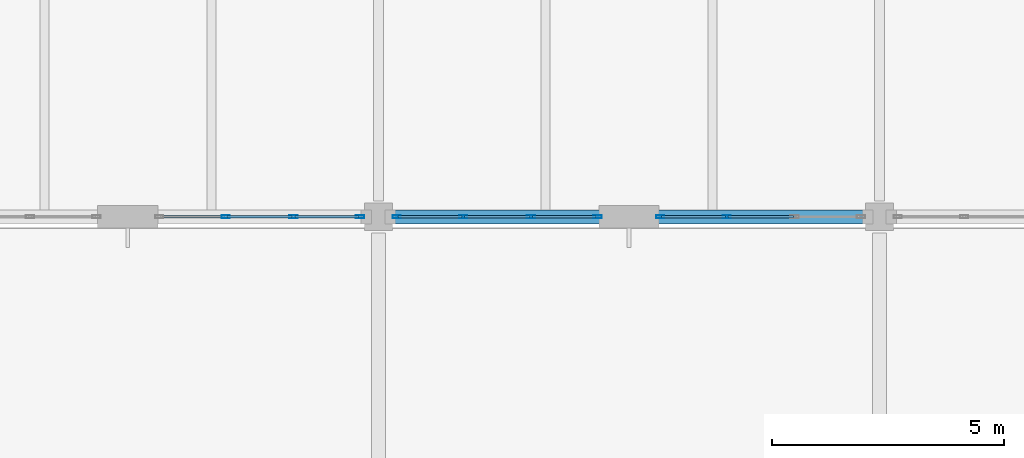
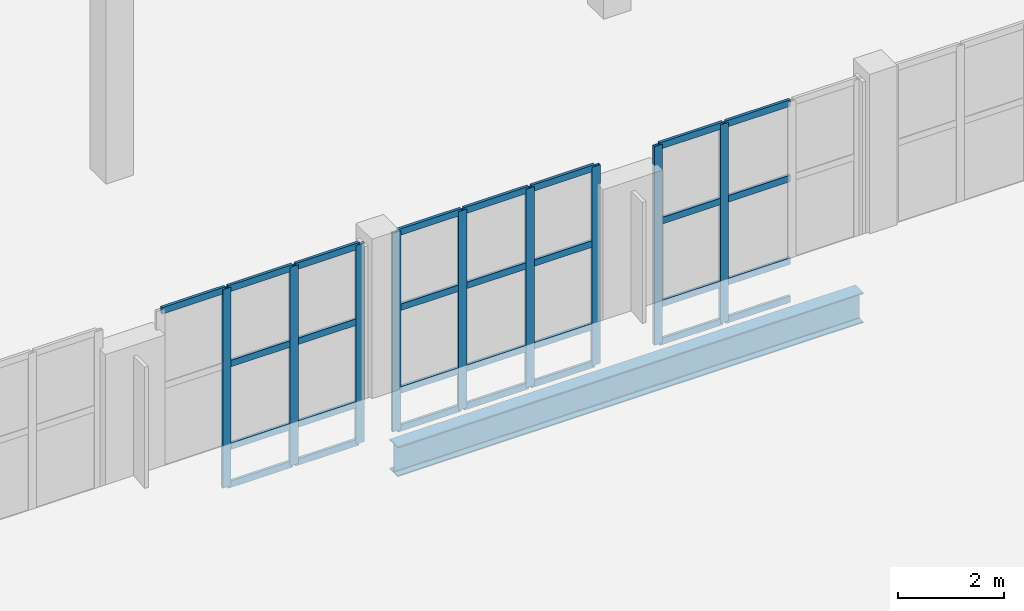
# One storey, part 26 of 100: 38 members, 1 beam, 3 elements without a shape of their own.
"""IFC4 building model written with IfcOpenShell, lengths in metres."""

from ifc_helpers import new_model, si_unit, direction, frame, origin, origin_2d, place, context, subcontext, project, spatial, hollow_rectangle, i_section, extrude, material, layer, layer_set, material_profile, profile_set, type_object, element, aggregate, save


model = new_model("IFC4")

# Units and contexts
model_context = context("Model", 3, precision=1e-05, world=origin(), true_north=direction((0.0, 1.0)))
body_context = subcontext(model_context, "Body", "Model", "MODEL_VIEW")
ifc_project = project(units=[si_unit("LENGTHUNIT", "METRE"), si_unit("AREAUNIT", "SQUARE_METRE"), si_unit("VOLUMEUNIT", "CUBIC_METRE"), si_unit("PLANEANGLEUNIT", "RADIAN"), si_unit("MASSUNIT", "GRAM", prefix="KILO")], contexts=[model_context])

# Site, building, storey
site_placement = place(None, origin())
site = spatial("IfcSite", under=ifc_project, at=site_placement, CompositionType="ELEMENT")
building_placement = place(site_placement, origin())
building = spatial("IfcBuilding", under=site, at=building_placement, Name="Tasgan Crest Museum", CompositionType="ELEMENT")
storey_placement = place(building_placement, frame((0.0, 0.0, 9.60009765625)))
storey = spatial("IfcBuildingStorey", under=building, at=storey_placement, Name="L02", CompositionType="ELEMENT", Elevation=9.60009765625)

# Beam
ifc_material_1 = material(Name="Steel S355K2", Category="steel")
ifc_material_profile_1 = material_profile(ifc_material_1, i_section(OverallWidth=0.300048828125, OverallDepth=0.68994140625, WebThickness=0.014404296875, FlangeThickness=0.027099609375, FilletRadius=0.027099609375, at=origin_2d()), Name="HEA 700")
ifc_profile_set_1 = profile_set([ifc_material_profile_1], Name="Steel S355K2")
beam_type = type_object("IfcBeamType", Name="BM-G-HEA700", PredefinedType="BEAM", material=ifc_profile_set_1)
beam_placement = place(storey_placement, frame((119.14599609375, 20.0, -0.625), z_axis=(1.0, 0.0, 0.0), x_axis=(0.0, 1.0, 0.0)))
element("IfcBeam", 1, at=beam_placement, inside=storey, type_object=beam_type, Name="Girder L02 C 118.8-129.6", PredefinedType="BEAM", context=body_context, shape_type="SweptSolid", body=[
    extrude(i_section(OverallWidth=0.300048828125, OverallDepth=0.68994140625, WebThickness=0.014404296875, FlangeThickness=0.027099609375, FilletRadius=0.027099609375, at=origin_2d()), origin(), (0.0, 0.0, 1.0), 10.10791015625),
])

# Curtain wall, members
ifc_material_2 = material(Name="Triple-Glazed Aluminium Curtain Wall", Category="aluminium")
ifc_layer = layer(ifc_material_2, 0.179931640625, Name="CW-GAL-X-48")
ifc_layer_set = layer_set([ifc_layer], Name="Triple-Glazed Aluminium Curtain Wall")
curtain_wall_type = type_object("IfcCurtainWallType", Name="CW-GAL-X-48", PredefinedType="NOTDEFINED", material=ifc_layer_set)
curtain_wall_1_placement = place(storey_placement, origin())
curtain_wall_1 = element("IfcCurtainWall", 2, at=curtain_wall_1_placement, inside=storey, type_object=curtain_wall_type, Name="Curtain wall L02 066", PredefinedType="NOTDEFINED")
ifc_material_3 = material(Name="Anodised Aluminium", Category="aluminium")
ifc_material_profile_2 = material_profile(ifc_material_3, hollow_rectangle(XDim=0.06494140625, YDim=0.179931640625, WallThickness=0.0048828125, at=origin_2d()), Name="ALU MULLION 180x65x5")
ifc_profile_set_2 = profile_set([ifc_material_profile_2], Name="Anodised Aluminium")
member_type_1 = type_object("IfcMemberType", Name="CW-MULLION-180", PredefinedType="MULLION", material=ifc_profile_set_2)
member_1_placement = place(storey_placement, frame((115.50830078125, 20.0, 0.0), z_axis=(0.0, 0.0, 1.0), x_axis=(0.0, 1.0, 0.0)))
member_1 = element("IfcMember", 3, at=member_1_placement, type_object=member_type_1, Name="CW13 mullion 2", PredefinedType="MULLION", context=body_context, shape_type="SweptSolid", body=[
    extrude(hollow_rectangle(XDim=0.06494140625, YDim=0.179931640625, WallThickness=0.0048828125, at=origin_2d()), origin(), (0.0, 0.0, 1.0), 4.559814453125),
])
member_2_placement = place(storey_placement, frame((116.9716796875, 20.0, 0.0), z_axis=(0.0, 0.0, 1.0), x_axis=(0.0, 1.0, 0.0)))
member_2 = element("IfcMember", 4, at=member_2_placement, type_object=member_type_1, Name="CW13 mullion 3", PredefinedType="MULLION", context=body_context, shape_type="SweptSolid", body=[
    extrude(hollow_rectangle(XDim=0.06494140625, YDim=0.179931640625, WallThickness=0.0048828125, at=origin_2d()), origin(), (0.0, 0.0, 1.0), 4.559814453125),
])
member_3_placement = place(storey_placement, frame((118.405029296875, 20.0, 0.0), z_axis=(0.0, 0.0, 1.0), x_axis=(0.0, 1.0, 0.0)))
member_3 = element("IfcMember", 5, at=member_3_placement, type_object=member_type_1, Name="CW13 mullion 4", PredefinedType="MULLION", context=body_context, shape_type="SweptSolid", body=[
    extrude(hollow_rectangle(XDim=0.06494140625, YDim=0.179931640625, WallThickness=0.0048828125, at=origin_2d()), origin(), (0.0, 0.0, 1.0), 4.559814453125),
])

curtain_wall_2_placement = place(storey_placement, origin())
curtain_wall_2 = element("IfcCurtainWall", 6, at=curtain_wall_2_placement, inside=storey, type_object=curtain_wall_type, Name="Curtain wall L02 067", PredefinedType="NOTDEFINED")
member_4_placement = place(storey_placement, frame((119.195068359375, 20.0, 0.0), z_axis=(0.0, 0.0, 1.0), x_axis=(0.0, 1.0, 0.0)))
member_4 = element("IfcMember", 7, at=member_4_placement, type_object=member_type_1, Name="CW13 mullion 1", PredefinedType="MULLION", context=body_context, shape_type="SweptSolid", body=[
    extrude(hollow_rectangle(XDim=0.06494140625, YDim=0.179931640625, WallThickness=0.0048828125, at=origin_2d()), origin(), (0.0, 0.0, 1.0), 4.559814453125),
])
member_5_placement = place(storey_placement, frame((120.62841796875, 20.0, 0.0), z_axis=(0.0, 0.0, 1.0), x_axis=(0.0, 1.0, 0.0)))
member_5 = element("IfcMember", 8, at=member_5_placement, type_object=member_type_1, Name="CW13 mullion 2", PredefinedType="MULLION", context=body_context, shape_type="SweptSolid", body=[
    extrude(hollow_rectangle(XDim=0.06494140625, YDim=0.179931640625, WallThickness=0.0048828125, at=origin_2d()), origin(), (0.0, 0.0, 1.0), 4.559814453125),
])
member_6_placement = place(storey_placement, frame((122.091552734375, 20.0, 0.0), z_axis=(0.0, 0.0, 1.0), x_axis=(0.0, 1.0, 0.0)))
member_6 = element("IfcMember", 9, at=member_6_placement, type_object=member_type_1, Name="CW13 mullion 3", PredefinedType="MULLION", context=body_context, shape_type="SweptSolid", body=[
    extrude(hollow_rectangle(XDim=0.06494140625, YDim=0.179931640625, WallThickness=0.0048828125, at=origin_2d()), origin(), (0.0, 0.0, 1.0), 4.559814453125),
])
member_7_placement = place(storey_placement, frame((123.52490234375, 20.0, 0.0), z_axis=(0.0, 0.0, 1.0), x_axis=(0.0, 1.0, 0.0)))
member_7 = element("IfcMember", 10, at=member_7_placement, type_object=member_type_1, Name="CW13 mullion 4", PredefinedType="MULLION", context=body_context, shape_type="SweptSolid", body=[
    extrude(hollow_rectangle(XDim=0.06494140625, YDim=0.179931640625, WallThickness=0.0048828125, at=origin_2d()), origin(), (0.0, 0.0, 1.0), 4.559814453125),
])

curtain_wall_3_placement = place(storey_placement, origin())
curtain_wall_3 = element("IfcCurtainWall", 11, at=curtain_wall_3_placement, inside=storey, type_object=curtain_wall_type, Name="Curtain wall L02 068", PredefinedType="NOTDEFINED")
member_8_placement = place(storey_placement, frame((124.875, 20.0, 0.0), z_axis=(0.0, 0.0, 1.0), x_axis=(0.0, 1.0, 0.0)))
member_8 = element("IfcMember", 12, at=member_8_placement, type_object=member_type_1, Name="CW13 mullion 1", PredefinedType="MULLION", context=body_context, shape_type="SweptSolid", body=[
    extrude(hollow_rectangle(XDim=0.06494140625, YDim=0.179931640625, WallThickness=0.0048828125, at=origin_2d()), origin(), (0.0, 0.0, 1.0), 4.559814453125),
])
member_9_placement = place(storey_placement, frame((126.308349609375, 20.0, 0.0), z_axis=(0.0, 0.0, 1.0), x_axis=(0.0, 1.0, 0.0)))
member_9 = element("IfcMember", 13, at=member_9_placement, type_object=member_type_1, Name="CW13 mullion 2", PredefinedType="MULLION", context=body_context, shape_type="SweptSolid", body=[
    extrude(hollow_rectangle(XDim=0.06494140625, YDim=0.179931640625, WallThickness=0.0048828125, at=origin_2d()), origin(), (0.0, 0.0, 1.0), 4.559814453125),
])

# Member
ifc_material_4 = material(Name="Anodised Aluminium", Category="aluminium")
ifc_material_profile_3 = material_profile(ifc_material_4, hollow_rectangle(XDim=0.06005859375, YDim=0.14990234375, WallThickness=0.0048828125, at=origin_2d()), Name="ALU TRANSOM 150x60x5")
ifc_profile_set_3 = profile_set([ifc_material_profile_3], Name="Anodised Aluminium")
member_type_2 = type_object("IfcMemberType", Name="CW-TRANSOM-150", PredefinedType="USERDEFINED", material=ifc_profile_set_3)
member_10_placement = place(storey_placement, frame((114.10498046875, 20.0, 4.52978515625), z_axis=(1.0, 0.0, 0.0), x_axis=(0.0, 1.0, 0.0)))
member_10 = element("IfcMember", 14, at=member_10_placement, type_object=member_type_2, Name="CW13 transom 1.4", ObjectType="TRANSOM", PredefinedType="USERDEFINED", context=body_context, shape_type="SweptSolid", body=[
    extrude(hollow_rectangle(XDim=0.06005859375, YDim=0.14990234375, WallThickness=0.0048828125, at=origin_2d()), origin(), (0.0, 0.0, 1.0), 1.373291015625),
])

member_11_placement = place(storey_placement, frame((115.538330078125, 20.0, 0.02978515625), z_axis=(1.0, 0.0, 0.0), x_axis=(0.0, 1.0, 0.0)))
member_11 = element("IfcMember", 15, at=member_11_placement, type_object=member_type_2, Name="CW13 transom 2.1", ObjectType="TRANSOM", PredefinedType="USERDEFINED", context=body_context, shape_type="SweptSolid", body=[
    extrude(hollow_rectangle(XDim=0.06005859375, YDim=0.14990234375, WallThickness=0.0048828125, at=origin_2d()), origin(), (0.0, 0.0, 1.0), 1.4033203125),
])

member_12_placement = place(storey_placement, frame((115.538330078125, 20.0, 0.89990234375), z_axis=(1.0, 0.0, 0.0), x_axis=(0.0, 1.0, 0.0)))
member_12 = element("IfcMember", 16, at=member_12_placement, type_object=member_type_2, Name="CW13 transom 2.2", ObjectType="TRANSOM", PredefinedType="USERDEFINED", context=body_context, shape_type="SweptSolid", body=[
    extrude(hollow_rectangle(XDim=0.06005859375, YDim=0.14990234375, WallThickness=0.0048828125, at=origin_2d()), origin(), (0.0, 0.0, 1.0), 1.4033203125),
])

member_13_placement = place(storey_placement, frame((115.538330078125, 20.0, 2.7998046875), z_axis=(1.0, 0.0, 0.0), x_axis=(0.0, 1.0, 0.0)))
member_13 = element("IfcMember", 17, at=member_13_placement, type_object=member_type_2, Name="CW13 transom 2.3", ObjectType="TRANSOM", PredefinedType="USERDEFINED", context=body_context, shape_type="SweptSolid", body=[
    extrude(hollow_rectangle(XDim=0.06005859375, YDim=0.14990234375, WallThickness=0.0048828125, at=origin_2d()), origin(), (0.0, 0.0, 1.0), 1.4033203125),
])

member_14_placement = place(storey_placement, frame((115.538330078125, 20.0, 4.52978515625), z_axis=(1.0, 0.0, 0.0), x_axis=(0.0, 1.0, 0.0)))
member_14 = element("IfcMember", 18, at=member_14_placement, type_object=member_type_2, Name="CW13 transom 2.4", ObjectType="TRANSOM", PredefinedType="USERDEFINED", context=body_context, shape_type="SweptSolid", body=[
    extrude(hollow_rectangle(XDim=0.06005859375, YDim=0.14990234375, WallThickness=0.0048828125, at=origin_2d()), origin(), (0.0, 0.0, 1.0), 1.4033203125),
])

member_15_placement = place(storey_placement, frame((117.001708984375, 20.0, 0.02978515625), z_axis=(1.0, 0.0, 0.0), x_axis=(0.0, 1.0, 0.0)))
member_15 = element("IfcMember", 19, at=member_15_placement, type_object=member_type_2, Name="CW13 transom 3.1", ObjectType="TRANSOM", PredefinedType="USERDEFINED", context=body_context, shape_type="SweptSolid", body=[
    extrude(hollow_rectangle(XDim=0.06005859375, YDim=0.14990234375, WallThickness=0.0048828125, at=origin_2d()), origin(), (0.0, 0.0, 1.0), 1.373291015625),
])

member_16_placement = place(storey_placement, frame((117.001708984375, 20.0, 0.89990234375), z_axis=(1.0, 0.0, 0.0), x_axis=(0.0, 1.0, 0.0)))
member_16 = element("IfcMember", 20, at=member_16_placement, type_object=member_type_2, Name="CW13 transom 3.2", ObjectType="TRANSOM", PredefinedType="USERDEFINED", context=body_context, shape_type="SweptSolid", body=[
    extrude(hollow_rectangle(XDim=0.06005859375, YDim=0.14990234375, WallThickness=0.0048828125, at=origin_2d()), origin(), (0.0, 0.0, 1.0), 1.373291015625),
])

member_17_placement = place(storey_placement, frame((117.001708984375, 20.0, 2.7998046875), z_axis=(1.0, 0.0, 0.0), x_axis=(0.0, 1.0, 0.0)))
member_17 = element("IfcMember", 21, at=member_17_placement, type_object=member_type_2, Name="CW13 transom 3.3", ObjectType="TRANSOM", PredefinedType="USERDEFINED", context=body_context, shape_type="SweptSolid", body=[
    extrude(hollow_rectangle(XDim=0.06005859375, YDim=0.14990234375, WallThickness=0.0048828125, at=origin_2d()), origin(), (0.0, 0.0, 1.0), 1.373291015625),
])

member_18_placement = place(storey_placement, frame((117.001708984375, 20.0, 4.52978515625), z_axis=(1.0, 0.0, 0.0), x_axis=(0.0, 1.0, 0.0)))
member_18 = element("IfcMember", 22, at=member_18_placement, type_object=member_type_2, Name="CW13 transom 3.4", ObjectType="TRANSOM", PredefinedType="USERDEFINED", context=body_context, shape_type="SweptSolid", body=[
    extrude(hollow_rectangle(XDim=0.06005859375, YDim=0.14990234375, WallThickness=0.0048828125, at=origin_2d()), origin(), (0.0, 0.0, 1.0), 1.373291015625),
])

aggregate(curtain_wall_1, [member_1, member_2, member_3, member_10, member_11, member_12, member_13, member_14, member_15, member_16, member_17, member_18])

member_19_placement = place(storey_placement, frame((119.22509765625, 20.0, 0.02978515625), z_axis=(1.0, 0.0, 0.0), x_axis=(0.0, 1.0, 0.0)))
member_19 = element("IfcMember", 23, at=member_19_placement, type_object=member_type_2, Name="CW13 transom 1.1", ObjectType="TRANSOM", PredefinedType="USERDEFINED", context=body_context, shape_type="SweptSolid", body=[
    extrude(hollow_rectangle(XDim=0.06005859375, YDim=0.14990234375, WallThickness=0.0048828125, at=origin_2d()), origin(), (0.0, 0.0, 1.0), 1.373291015625),
])

member_20_placement = place(storey_placement, frame((119.22509765625, 20.0, 0.89990234375), z_axis=(1.0, 0.0, 0.0), x_axis=(0.0, 1.0, 0.0)))
member_20 = element("IfcMember", 24, at=member_20_placement, type_object=member_type_2, Name="CW13 transom 1.2", ObjectType="TRANSOM", PredefinedType="USERDEFINED", context=body_context, shape_type="SweptSolid", body=[
    extrude(hollow_rectangle(XDim=0.06005859375, YDim=0.14990234375, WallThickness=0.0048828125, at=origin_2d()), origin(), (0.0, 0.0, 1.0), 1.373291015625),
])

member_21_placement = place(storey_placement, frame((119.22509765625, 20.0, 2.7998046875), z_axis=(1.0, 0.0, 0.0), x_axis=(0.0, 1.0, 0.0)))
member_21 = element("IfcMember", 25, at=member_21_placement, type_object=member_type_2, Name="CW13 transom 1.3", ObjectType="TRANSOM", PredefinedType="USERDEFINED", context=body_context, shape_type="SweptSolid", body=[
    extrude(hollow_rectangle(XDim=0.06005859375, YDim=0.14990234375, WallThickness=0.0048828125, at=origin_2d()), origin(), (0.0, 0.0, 1.0), 1.373291015625),
])

member_22_placement = place(storey_placement, frame((119.22509765625, 20.0, 4.52978515625), z_axis=(1.0, 0.0, 0.0), x_axis=(0.0, 1.0, 0.0)))
member_22 = element("IfcMember", 26, at=member_22_placement, type_object=member_type_2, Name="CW13 transom 1.4", ObjectType="TRANSOM", PredefinedType="USERDEFINED", context=body_context, shape_type="SweptSolid", body=[
    extrude(hollow_rectangle(XDim=0.06005859375, YDim=0.14990234375, WallThickness=0.0048828125, at=origin_2d()), origin(), (0.0, 0.0, 1.0), 1.373291015625),
])

member_23_placement = place(storey_placement, frame((120.658447265625, 20.0, 0.02978515625), z_axis=(1.0, 0.0, 0.0), x_axis=(0.0, 1.0, 0.0)))
member_23 = element("IfcMember", 27, at=member_23_placement, type_object=member_type_2, Name="CW13 transom 2.1", ObjectType="TRANSOM", PredefinedType="USERDEFINED", context=body_context, shape_type="SweptSolid", body=[
    extrude(hollow_rectangle(XDim=0.06005859375, YDim=0.14990234375, WallThickness=0.0048828125, at=origin_2d()), origin(), (0.0, 0.0, 1.0), 1.4033203125),
])

member_24_placement = place(storey_placement, frame((120.658447265625, 20.0, 0.89990234375), z_axis=(1.0, 0.0, 0.0), x_axis=(0.0, 1.0, 0.0)))
member_24 = element("IfcMember", 28, at=member_24_placement, type_object=member_type_2, Name="CW13 transom 2.2", ObjectType="TRANSOM", PredefinedType="USERDEFINED", context=body_context, shape_type="SweptSolid", body=[
    extrude(hollow_rectangle(XDim=0.06005859375, YDim=0.14990234375, WallThickness=0.0048828125, at=origin_2d()), origin(), (0.0, 0.0, 1.0), 1.4033203125),
])

member_25_placement = place(storey_placement, frame((120.658447265625, 20.0, 2.7998046875), z_axis=(1.0, 0.0, 0.0), x_axis=(0.0, 1.0, 0.0)))
member_25 = element("IfcMember", 29, at=member_25_placement, type_object=member_type_2, Name="CW13 transom 2.3", ObjectType="TRANSOM", PredefinedType="USERDEFINED", context=body_context, shape_type="SweptSolid", body=[
    extrude(hollow_rectangle(XDim=0.06005859375, YDim=0.14990234375, WallThickness=0.0048828125, at=origin_2d()), origin(), (0.0, 0.0, 1.0), 1.4033203125),
])

member_26_placement = place(storey_placement, frame((120.658447265625, 20.0, 4.52978515625), z_axis=(1.0, 0.0, 0.0), x_axis=(0.0, 1.0, 0.0)))
member_26 = element("IfcMember", 30, at=member_26_placement, type_object=member_type_2, Name="CW13 transom 2.4", ObjectType="TRANSOM", PredefinedType="USERDEFINED", context=body_context, shape_type="SweptSolid", body=[
    extrude(hollow_rectangle(XDim=0.06005859375, YDim=0.14990234375, WallThickness=0.0048828125, at=origin_2d()), origin(), (0.0, 0.0, 1.0), 1.4033203125),
])

member_27_placement = place(storey_placement, frame((122.12158203125, 20.0, 0.02978515625), z_axis=(1.0, 0.0, 0.0), x_axis=(0.0, 1.0, 0.0)))
member_27 = element("IfcMember", 31, at=member_27_placement, type_object=member_type_2, Name="CW13 transom 3.1", ObjectType="TRANSOM", PredefinedType="USERDEFINED", context=body_context, shape_type="SweptSolid", body=[
    extrude(hollow_rectangle(XDim=0.06005859375, YDim=0.14990234375, WallThickness=0.0048828125, at=origin_2d()), origin(), (0.0, 0.0, 1.0), 1.37353515625),
])

member_28_placement = place(storey_placement, frame((122.12158203125, 20.0, 0.89990234375), z_axis=(1.0, 0.0, 0.0), x_axis=(0.0, 1.0, 0.0)))
member_28 = element("IfcMember", 32, at=member_28_placement, type_object=member_type_2, Name="CW13 transom 3.2", ObjectType="TRANSOM", PredefinedType="USERDEFINED", context=body_context, shape_type="SweptSolid", body=[
    extrude(hollow_rectangle(XDim=0.06005859375, YDim=0.14990234375, WallThickness=0.0048828125, at=origin_2d()), origin(), (0.0, 0.0, 1.0), 1.37353515625),
])

member_29_placement = place(storey_placement, frame((122.12158203125, 20.0, 2.7998046875), z_axis=(1.0, 0.0, 0.0), x_axis=(0.0, 1.0, 0.0)))
member_29 = element("IfcMember", 33, at=member_29_placement, type_object=member_type_2, Name="CW13 transom 3.3", ObjectType="TRANSOM", PredefinedType="USERDEFINED", context=body_context, shape_type="SweptSolid", body=[
    extrude(hollow_rectangle(XDim=0.06005859375, YDim=0.14990234375, WallThickness=0.0048828125, at=origin_2d()), origin(), (0.0, 0.0, 1.0), 1.37353515625),
])

member_30_placement = place(storey_placement, frame((122.12158203125, 20.0, 4.52978515625), z_axis=(1.0, 0.0, 0.0), x_axis=(0.0, 1.0, 0.0)))
member_30 = element("IfcMember", 34, at=member_30_placement, type_object=member_type_2, Name="CW13 transom 3.4", ObjectType="TRANSOM", PredefinedType="USERDEFINED", context=body_context, shape_type="SweptSolid", body=[
    extrude(hollow_rectangle(XDim=0.06005859375, YDim=0.14990234375, WallThickness=0.0048828125, at=origin_2d()), origin(), (0.0, 0.0, 1.0), 1.37353515625),
])

aggregate(curtain_wall_2, [member_4, member_5, member_6, member_7, member_19, member_20, member_21, member_22, member_23, member_24, member_25, member_26, member_27, member_28, member_29, member_30])

member_31_placement = place(storey_placement, frame((124.905029296875, 20.0, 0.02978515625), z_axis=(1.0, 0.0, 0.0), x_axis=(0.0, 1.0, 0.0)))
member_31 = element("IfcMember", 35, at=member_31_placement, type_object=member_type_2, Name="CW13 transom 1.1", ObjectType="TRANSOM", PredefinedType="USERDEFINED", context=body_context, shape_type="SweptSolid", body=[
    extrude(hollow_rectangle(XDim=0.06005859375, YDim=0.14990234375, WallThickness=0.0048828125, at=origin_2d()), origin(), (0.0, 0.0, 1.0), 1.373291015625),
])

member_32_placement = place(storey_placement, frame((124.905029296875, 20.0, 0.89990234375), z_axis=(1.0, 0.0, 0.0), x_axis=(0.0, 1.0, 0.0)))
member_32 = element("IfcMember", 36, at=member_32_placement, type_object=member_type_2, Name="CW13 transom 1.2", ObjectType="TRANSOM", PredefinedType="USERDEFINED", context=body_context, shape_type="SweptSolid", body=[
    extrude(hollow_rectangle(XDim=0.06005859375, YDim=0.14990234375, WallThickness=0.0048828125, at=origin_2d()), origin(), (0.0, 0.0, 1.0), 1.373291015625),
])

member_33_placement = place(storey_placement, frame((124.905029296875, 20.0, 2.7998046875), z_axis=(1.0, 0.0, 0.0), x_axis=(0.0, 1.0, 0.0)))
member_33 = element("IfcMember", 37, at=member_33_placement, type_object=member_type_2, Name="CW13 transom 1.3", ObjectType="TRANSOM", PredefinedType="USERDEFINED", context=body_context, shape_type="SweptSolid", body=[
    extrude(hollow_rectangle(XDim=0.06005859375, YDim=0.14990234375, WallThickness=0.0048828125, at=origin_2d()), origin(), (0.0, 0.0, 1.0), 1.373291015625),
])

member_34_placement = place(storey_placement, frame((124.905029296875, 20.0, 4.52978515625), z_axis=(1.0, 0.0, 0.0), x_axis=(0.0, 1.0, 0.0)))
member_34 = element("IfcMember", 38, at=member_34_placement, type_object=member_type_2, Name="CW13 transom 1.4", ObjectType="TRANSOM", PredefinedType="USERDEFINED", context=body_context, shape_type="SweptSolid", body=[
    extrude(hollow_rectangle(XDim=0.06005859375, YDim=0.14990234375, WallThickness=0.0048828125, at=origin_2d()), origin(), (0.0, 0.0, 1.0), 1.373291015625),
])

member_35_placement = place(storey_placement, frame((126.33837890625, 20.0, 0.02978515625), z_axis=(1.0, 0.0, 0.0), x_axis=(0.0, 1.0, 0.0)))
member_35 = element("IfcMember", 39, at=member_35_placement, type_object=member_type_2, Name="CW13 transom 2.1", ObjectType="TRANSOM", PredefinedType="USERDEFINED", context=body_context, shape_type="SweptSolid", body=[
    extrude(hollow_rectangle(XDim=0.06005859375, YDim=0.14990234375, WallThickness=0.0048828125, at=origin_2d()), origin(), (0.0, 0.0, 1.0), 1.4033203125),
])

member_36_placement = place(storey_placement, frame((126.33837890625, 20.0, 0.89990234375), z_axis=(1.0, 0.0, 0.0), x_axis=(0.0, 1.0, 0.0)))
member_36 = element("IfcMember", 40, at=member_36_placement, type_object=member_type_2, Name="CW13 transom 2.2", ObjectType="TRANSOM", PredefinedType="USERDEFINED", context=body_context, shape_type="SweptSolid", body=[
    extrude(hollow_rectangle(XDim=0.06005859375, YDim=0.14990234375, WallThickness=0.0048828125, at=origin_2d()), origin(), (0.0, 0.0, 1.0), 1.4033203125),
])

member_37_placement = place(storey_placement, frame((126.33837890625, 20.0, 2.7998046875), z_axis=(1.0, 0.0, 0.0), x_axis=(0.0, 1.0, 0.0)))
member_37 = element("IfcMember", 41, at=member_37_placement, type_object=member_type_2, Name="CW13 transom 2.3", ObjectType="TRANSOM", PredefinedType="USERDEFINED", context=body_context, shape_type="SweptSolid", body=[
    extrude(hollow_rectangle(XDim=0.06005859375, YDim=0.14990234375, WallThickness=0.0048828125, at=origin_2d()), origin(), (0.0, 0.0, 1.0), 1.4033203125),
])

member_38_placement = place(storey_placement, frame((126.33837890625, 20.0, 4.52978515625), z_axis=(1.0, 0.0, 0.0), x_axis=(0.0, 1.0, 0.0)))
member_38 = element("IfcMember", 42, at=member_38_placement, type_object=member_type_2, Name="CW13 transom 2.4", ObjectType="TRANSOM", PredefinedType="USERDEFINED", context=body_context, shape_type="SweptSolid", body=[
    extrude(hollow_rectangle(XDim=0.06005859375, YDim=0.14990234375, WallThickness=0.0048828125, at=origin_2d()), origin(), (0.0, 0.0, 1.0), 1.4033203125),
])

aggregate(curtain_wall_3, [member_8, member_9, member_31, member_32, member_33, member_34, member_35, member_36, member_37, member_38])

save(model, "model.ifc")
